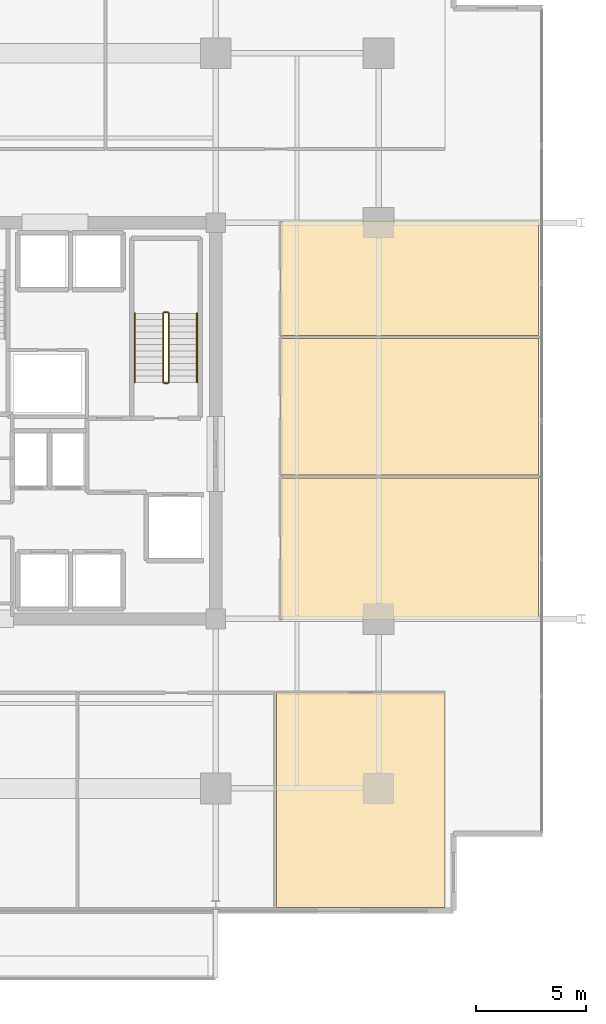
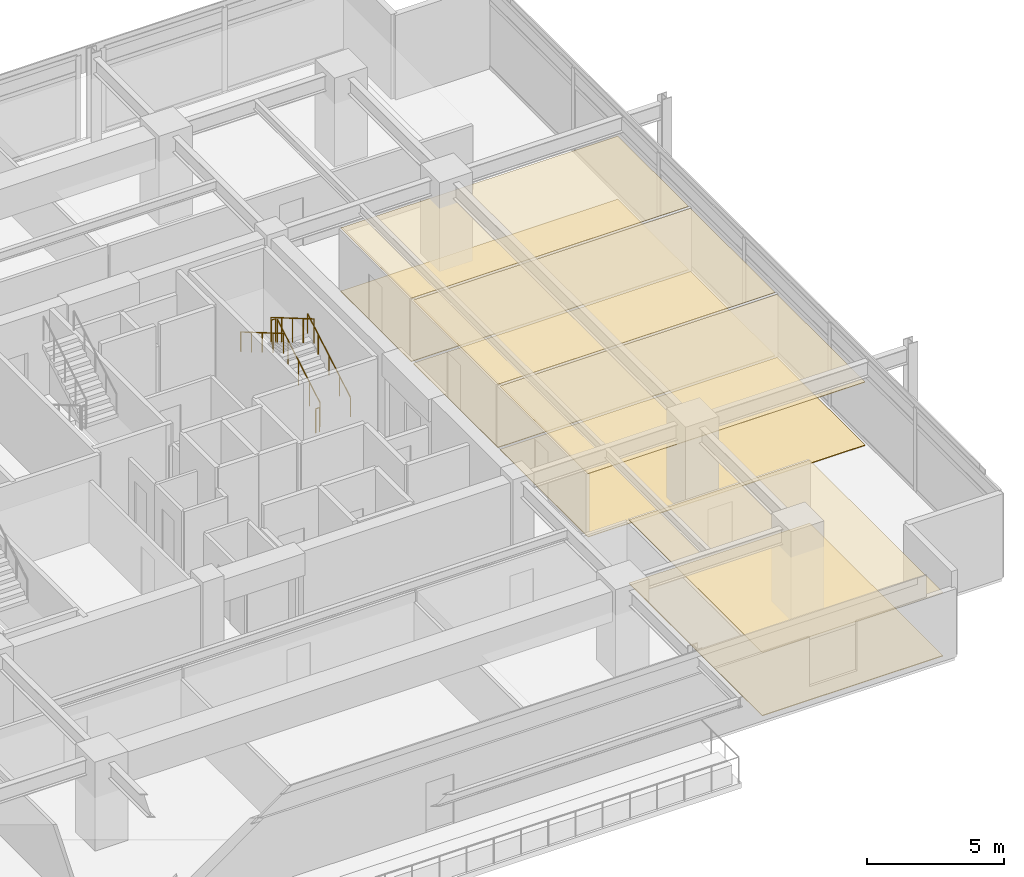
# One storey, part 20 of 22: 8 coverings, 6 railings.
"""IFC4 building model written with IfcOpenShell, lengths in metres."""

from ifc_helpers import new_model, si_unit, direction, frame, origin, origin_2d, place, context, subcontext, project, spatial, polyline, circle, outline, extrude, material, layer, layer_set, type_object, element, save


model = new_model("IFC4")

# Units and contexts
model_context = context("Model", 3, precision=1e-05, world=origin(), true_north=direction((0.0, 1.0)))
body_context = subcontext(model_context, "Body", "Model", "MODEL_VIEW")
ifc_project = project(units=[si_unit("LENGTHUNIT", "METRE"), si_unit("AREAUNIT", "SQUARE_METRE"), si_unit("VOLUMEUNIT", "CUBIC_METRE"), si_unit("PLANEANGLEUNIT", "RADIAN"), si_unit("MASSUNIT", "GRAM", prefix="KILO")], contexts=[model_context])

# Site, building, storey
site_placement = place(None, origin())
site = spatial("IfcSite", under=ifc_project, at=site_placement, CompositionType="ELEMENT")
building_placement = place(site_placement, origin())
building = spatial("IfcBuilding", under=site, at=building_placement, Name="Kovane Verandah Tower", CompositionType="ELEMENT")
storey_placement = place(building_placement, frame((0.0, 0.0, 225.199951171875)))
storey = spatial("IfcBuildingStorey", under=building, at=storey_placement, Name="L52", CompositionType="ELEMENT", Elevation=225.199951171875)

# Coverings
ifc_material_1 = material(Name="Perforated Acoustic Mineral-Fibre Ceiling Tile", Category="gypsum")
ifc_layer_1 = layer(ifc_material_1, 0.02490234375)
ifc_layer_set_1 = layer_set([ifc_layer_1], Name="Perforated Acoustic Mineral-Fibre Ceiling Tile")
covering_type_1 = type_object("IfcCoveringType", Name="CV-CEIL-25", PredefinedType="CEILING", material=ifc_layer_set_1)
covering_1_placement = place(storey_placement, frame((0.0, 0.0, 2.824951171875)))
element("IfcCovering", 1, at=covering_1_placement, inside=storey, type_object=covering_type_1, Name="L52 Executive Office S5 Acoustic Ceiling", PredefinedType="CEILING", context=body_context, shape_type="SweptSolid", body=[
    extrude(outline(polyline([(53.772216796875, 5.393798828125), (61.40966796875, 5.393798828125), (61.40966796875, 15.14990234375), (53.772216796875, 15.14990234375), (53.772216796875, 5.393798828125)])), origin(), (0.0, 0.0, 1.0), 0.025146484375),
])
covering_2_placement = place(storey_placement, frame((0.0, 0.0, 2.824951171875)))
element("IfcCovering", 2, at=covering_2_placement, inside=storey, type_object=covering_type_1, Name="L52 Breakout Pantry E1 Acoustic Ceiling", PredefinedType="CEILING", context=body_context, shape_type="SweptSolid", body=[
    extrude(outline(polyline([(53.949951171875, 18.449951171875), (65.65966796875, 18.449951171875), (65.65966796875, 24.89599609375), (53.949951171875, 24.89599609375), (53.949951171875, 18.449951171875)])), origin(), (0.0, 0.0, 1.0), 0.025146484375),
])
covering_3_placement = place(storey_placement, frame((0.0, 0.0, 2.824951171875)))
element("IfcCovering", 3, at=covering_3_placement, inside=storey, type_object=covering_type_1, Name="L52 Collaboration Hub E2 Acoustic Ceiling", PredefinedType="CEILING", context=body_context, shape_type="SweptSolid", body=[
    extrude(outline(polyline([(53.949951171875, 25.035888671875), (65.65966796875, 25.035888671875), (65.65966796875, 31.23095703125), (53.949951171875, 31.23095703125), (53.949951171875, 25.035888671875)])), origin(), (0.0, 0.0, 1.0), 0.025146484375),
])
covering_4_placement = place(storey_placement, frame((0.0, 0.0, 2.824951171875)))
element("IfcCovering", 4, at=covering_4_placement, inside=storey, type_object=covering_type_1, Name="L52 Document and Print Room E3 Acoustic Ceiling", PredefinedType="CEILING", context=body_context, shape_type="SweptSolid", body=[
    extrude(outline(polyline([(53.949951171875, 31.37109375), (65.65966796875, 31.37109375), (65.65966796875, 36.550048828125), (53.949951171875, 36.550048828125), (53.949951171875, 31.37109375)])), origin(), (0.0, 0.0, 1.0), 0.025146484375),
])
ifc_material_2 = material(Name="Polished Terrazzo and Raised-Access Carpet Tile Finish", Category="concrete")
ifc_layer_2 = layer(ifc_material_2, 0.030029296875)
ifc_layer_set_2 = layer_set([ifc_layer_2], Name="Polished Terrazzo and Raised-Access Carpet Tile Finish")
covering_type_2 = type_object("IfcCoveringType", Name="CV-FLOR-30", PredefinedType="FLOORING", material=ifc_layer_set_2)
covering_5_placement = place(storey_placement, origin())
element("IfcCovering", 5, at=covering_5_placement, inside=storey, type_object=covering_type_2, Name="L52 Executive Office S5 Floor Finish", PredefinedType="FLOORING", context=body_context, shape_type="SweptSolid", body=[
    extrude(outline(polyline([(53.772216796875, 5.393798828125), (61.40966796875, 5.393798828125), (61.40966796875, 15.14990234375), (53.772216796875, 15.14990234375), (53.772216796875, 5.393798828125)])), origin(), (0.0, 0.0, 1.0), 0.030029296875),
])
covering_6_placement = place(storey_placement, origin())
element("IfcCovering", 6, at=covering_6_placement, inside=storey, type_object=covering_type_2, Name="L52 Breakout Pantry E1 Floor Finish", PredefinedType="FLOORING", context=body_context, shape_type="SweptSolid", body=[
    extrude(outline(polyline([(53.949951171875, 18.449951171875), (65.65966796875, 18.449951171875), (65.65966796875, 24.89599609375), (53.949951171875, 24.89599609375), (53.949951171875, 18.449951171875)])), origin(), (0.0, 0.0, 1.0), 0.030029296875),
])
covering_7_placement = place(storey_placement, origin())
element("IfcCovering", 7, at=covering_7_placement, inside=storey, type_object=covering_type_2, Name="L52 Collaboration Hub E2 Floor Finish", PredefinedType="FLOORING", context=body_context, shape_type="SweptSolid", body=[
    extrude(outline(polyline([(53.949951171875, 25.035888671875), (65.65966796875, 25.035888671875), (65.65966796875, 31.23095703125), (53.949951171875, 31.23095703125), (53.949951171875, 25.035888671875)])), origin(), (0.0, 0.0, 1.0), 0.030029296875),
])
covering_8_placement = place(storey_placement, origin())
element("IfcCovering", 8, at=covering_8_placement, inside=storey, type_object=covering_type_2, Name="L52 Document and Print Room E3 Floor Finish", PredefinedType="FLOORING", context=body_context, shape_type="SweptSolid", body=[
    extrude(outline(polyline([(53.949951171875, 31.37109375), (65.65966796875, 31.37109375), (65.65966796875, 36.550048828125), (53.949951171875, 36.550048828125), (53.949951171875, 31.37109375)])), origin(), (0.0, 0.0, 1.0), 0.030029296875),
])

# Railings
ifc_material_3 = material(Name="Brushed Stainless Steel Handrail", Category="steel")
railing_type_1 = type_object("IfcRailingType", Name="RL-HAND-920", PredefinedType="HANDRAIL", material=ifc_material_3)
railing_1_placement = place(storey_placement, frame((50.14990234375, 29.25, 0.166748046875)))
element("IfcRailing", 9, at=railing_1_placement, inside=storey, type_object=railing_type_1, Name="L52 ST-02 stair handrail 1", PredefinedType="HANDRAIL", context=body_context, shape_type="SweptSolid", body=[
    extrude(circle(Radius=0.02392578125, at=origin_2d()), frame((0.0, 0.0, 0.8759765625), z_axis=(0.0, 0.863239559939, 0.504794475164), x_axis=(-1.0, 0.0, 0.0)), (0.0, 0.0, 1.0), 3.631591796875),
    extrude(circle(Radius=0.02099609375, at=origin_2d()), origin(), (0.0, 0.0, 1.0), 0.851806640625),
    extrude(circle(Radius=0.02099609375, at=origin_2d()), frame((0.0, 0.78369140625, 0.458251953125)), (0.0, 0.0, 1.0), 0.851806640625),
    extrude(circle(Radius=0.02099609375, at=origin_2d()), frame((0.0, 1.5673828125, 0.91650390625)), (0.0, 0.0, 1.0), 0.851806640625),
    extrude(circle(Radius=0.02099609375, at=origin_2d()), frame((0.0, 2.351318359375, 1.375)), (0.0, 0.0, 1.0), 0.851806640625),
    extrude(circle(Radius=0.02099609375, at=origin_2d()), frame((0.0, 3.135009765625, 1.833251953125)), (0.0, 0.0, 1.0), 0.851806640625),
])
railing_2_placement = place(storey_placement, frame((47.330078125, 32.385009765625, 2.166748046875)))
element("IfcRailing", 10, at=railing_2_placement, inside=storey, type_object=railing_type_1, Name="L52 ST-02 stair handrail 2", PredefinedType="HANDRAIL", context=body_context, shape_type="SweptSolid", body=[
    extrude(circle(Radius=0.02392578125, at=origin_2d()), frame((0.0, 0.0, 0.8759765625), z_axis=(0.0, -0.863239559939, 0.504794475164), x_axis=(1.0, 0.0, 0.0)), (0.0, 0.0, 1.0), 3.631591796875),
    extrude(circle(Radius=0.02099609375, at=origin_2d()), origin(), (0.0, 0.0, 1.0), 0.851806640625),
    extrude(circle(Radius=0.02099609375, at=origin_2d()), frame((0.0, -0.78369140625, 0.458251953125)), (0.0, 0.0, 1.0), 0.851806640625),
    extrude(circle(Radius=0.02099609375, at=origin_2d()), frame((0.0, -1.5673828125, 0.91650390625)), (0.0, 0.0, 1.0), 0.851806640625),
    extrude(circle(Radius=0.02099609375, at=origin_2d()), frame((0.0, -2.351318359375, 1.375)), (0.0, 0.0, 1.0), 0.851806640625),
    extrude(circle(Radius=0.02099609375, at=origin_2d()), frame((0.0, -3.135009765625, 1.833251953125)), (0.0, 0.0, 1.0), 0.851806640625),
])
ifc_material_4 = material(Name="Painted Steel Stairwell Guardrail", Category="steel")
railing_type_2 = type_object("IfcRailingType", Name="RL-STGUARD-1120", PredefinedType="GUARDRAIL", material=ifc_material_4)
railing_3_placement = place(storey_placement, frame((48.8701171875, 29.25, 0.166748046875)))
element("IfcRailing", 11, at=railing_3_placement, inside=storey, type_object=railing_type_2, Name="L52 ST-02 stair guard 1", PredefinedType="GUARDRAIL", context=body_context, shape_type="SweptSolid", body=[
    extrude(circle(Radius=0.02392578125, at=origin_2d()), frame((0.0, 0.0, 1.076171875), z_axis=(0.0, 0.863239559939, 0.504794475164), x_axis=(-1.0, 0.0, 0.0)), (0.0, 0.0, 1.0), 3.631591796875),
    extrude(circle(Radius=0.02099609375, at=origin_2d()), origin(), (0.0, 0.0, 1.0), 1.052001953125),
    extrude(circle(Radius=0.02099609375, at=origin_2d()), frame((0.0, 0.78369140625, 0.458251953125)), (0.0, 0.0, 1.0), 1.052001953125),
    extrude(circle(Radius=0.02099609375, at=origin_2d()), frame((0.0, 1.5673828125, 0.91650390625)), (0.0, 0.0, 1.0), 1.052001953125),
    extrude(circle(Radius=0.02099609375, at=origin_2d()), frame((0.0, 2.351318359375, 1.375)), (0.0, 0.0, 1.0), 1.052001953125),
    extrude(circle(Radius=0.02099609375, at=origin_2d()), frame((0.0, 3.135009765625, 1.833251953125)), (0.0, 0.0, 1.0), 1.052001953125),
])
railing_4_placement = place(storey_placement, frame((48.820068359375, 32.43505859375, 2.0)))
element("IfcRailing", 12, at=railing_4_placement, inside=storey, type_object=railing_type_2, Name="L52 ST-02 stair guard 2", PredefinedType="GUARDRAIL", context=body_context, shape_type="SweptSolid", body=[
    extrude(circle(Radius=0.02392578125, at=origin_2d()), frame((0.0, 0.0, 1.076171875), z_axis=(-1.0, 0.0, 0.0), x_axis=(0.0, -1.0, 0.0)), (0.0, 0.0, 1.0), 0.16015625),
    extrude(circle(Radius=0.02099609375, at=origin_2d()), origin(), (0.0, 0.0, 1.0), 1.052001953125),
    extrude(circle(Radius=0.02099609375, at=origin_2d()), frame((-0.16015625, 0.0, 0.0)), (0.0, 0.0, 1.0), 1.052001953125),
])
railing_5_placement = place(storey_placement, frame((48.610107421875, 32.385009765625, 2.166748046875)))
element("IfcRailing", 13, at=railing_5_placement, inside=storey, type_object=railing_type_2, Name="L52 ST-02 stair guard 3", PredefinedType="GUARDRAIL", context=body_context, shape_type="SweptSolid", body=[
    extrude(circle(Radius=0.02392578125, at=origin_2d()), frame((0.0, 0.0, 1.076171875), z_axis=(0.0, -0.863239559939, 0.504794475164), x_axis=(1.0, 0.0, 0.0)), (0.0, 0.0, 1.0), 3.631591796875),
    extrude(circle(Radius=0.02099609375, at=origin_2d()), origin(), (0.0, 0.0, 1.0), 1.052001953125),
    extrude(circle(Radius=0.02099609375, at=origin_2d()), frame((0.0, -0.78369140625, 0.458251953125)), (0.0, 0.0, 1.0), 1.052001953125),
    extrude(circle(Radius=0.02099609375, at=origin_2d()), frame((0.0, -1.5673828125, 0.91650390625)), (0.0, 0.0, 1.0), 1.052001953125),
    extrude(circle(Radius=0.02099609375, at=origin_2d()), frame((0.0, -2.351318359375, 1.375)), (0.0, 0.0, 1.0), 1.052001953125),
    extrude(circle(Radius=0.02099609375, at=origin_2d()), frame((0.0, -3.135009765625, 1.833251953125)), (0.0, 0.0, 1.0), 1.052001953125),
])
railing_6_placement = place(storey_placement, frame((48.820068359375, 29.199951171875, 0.0)))
element("IfcRailing", 14, at=railing_6_placement, inside=storey, type_object=railing_type_2, Name="L52 ST-02 stair guard 4", PredefinedType="GUARDRAIL", context=body_context, shape_type="SweptSolid", body=[
    extrude(circle(Radius=0.02392578125, at=origin_2d()), frame((0.0, 0.0, 1.076171875), z_axis=(-1.0, 0.0, 0.0), x_axis=(0.0, -1.0, 0.0)), (0.0, 0.0, 1.0), 0.16015625),
    extrude(circle(Radius=0.02099609375, at=origin_2d()), origin(), (0.0, 0.0, 1.0), 1.052001953125),
    extrude(circle(Radius=0.02099609375, at=origin_2d()), frame((-0.16015625, 0.0, 0.0)), (0.0, 0.0, 1.0), 1.052001953125),
])

save(model, "model.ifc")
